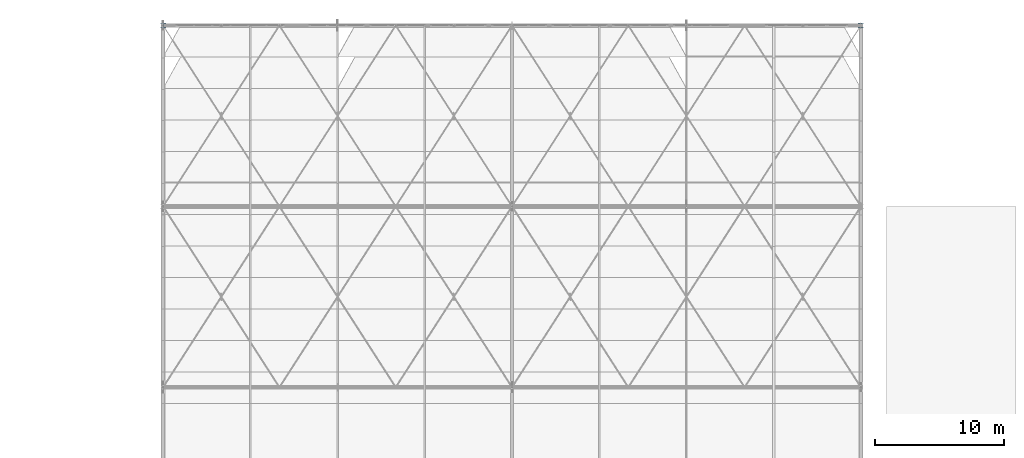
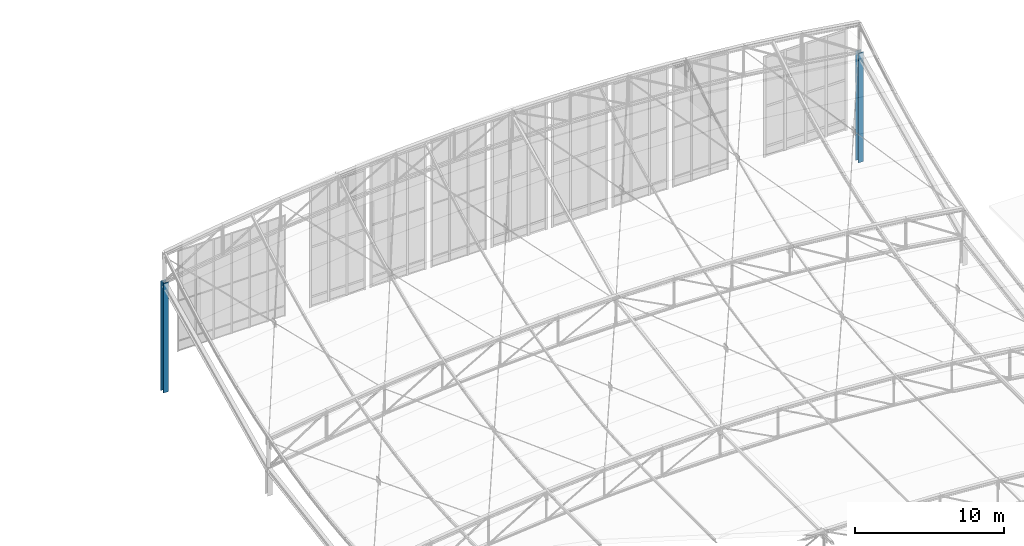
# One storey, part 12 of 262: 2 columns.
"""IFC4 building model written with IfcOpenShell, lengths in metres."""

import ifcopenshell
import ifcopenshell.guid

model = None  # the IFC model being written
_history = None  # IfcOwnerHistory: only IFC2X3 demands one
_inside = {}  # id of a spatial element -> (the spatial element, [elements in it])
_under = {}  # id of a project, library or spatial element -> (it, [spatial elements below it])
_declared = {}  # id of a project -> (the project, [libraries it declares])
_typed = {}  # id of a type object -> (the type object, [elements of that type])
_made_of = {}  # id of a material, layer set ... -> (it, [elements and type objects made of it])


def new_model(schema):
    """Start an empty IFC model of exactly this schema.

    Asked for "IFC4X3", IfcOpenShell would pick the latest addendum, in which some entities
    have other attributes; the version numbers below select the first issue.
    IFC2X3 requires an IfcOwnerHistory on every rooted entity: one is made here for all.
    """
    global model, _history
    if schema == "IFC4X3":
        model = ifcopenshell.file(schema_version=(4, 3, 0, 0))
    else:
        model = ifcopenshell.file(schema=schema)
    _inside.clear()
    _under.clear()
    _declared.clear()
    _typed.clear()
    _made_of.clear()
    _history = None
    if model.schema == "IFC2X3":
        org = make("IfcOrganization", Name="unknown")
        user = make(
            "IfcPersonAndOrganization",
            ThePerson=make("IfcPerson", FamilyName="unknown"),
            TheOrganization=org,
        )
        app = make(
            "IfcApplication",
            ApplicationDeveloper=org,
            Version="unknown",
            ApplicationFullName="unknown",
            ApplicationIdentifier="unknown",
        )
        _history = make(
            "IfcOwnerHistory",
            OwningUser=user,
            OwningApplication=app,
            ChangeAction="ADDED",
            CreationDate=0,
        )
    return model


def make(cls, **values):
    """One entity of the class cls with the attributes given. An attribute that is None is left unset."""
    return model.create_entity(
        cls, **{name: value for name, value in values.items() if value is not None}
    )


def rooted(cls, **values):
    """An entity with a GlobalId (a new one), such as an element, a storey or a relation."""
    return make(cls, GlobalId=ifcopenshell.guid.new(), OwnerHistory=_history, **values)


def si_unit(unit_type, name, prefix=None):
    """IfcSIUnit, for example si_unit("LENGTHUNIT", "METRE", prefix="MILLI")."""
    return make("IfcSIUnit", UnitType=unit_type, Prefix=prefix, Name=name)


def derived_unit(unit_type, elements):
    """IfcDerivedUnit: a product of units, each with its exponent."""
    return make(
        "IfcDerivedUnit",
        Elements=[
            make("IfcDerivedUnitElement", Unit=unit, Exponent=power)
            for unit, power in elements
        ],
        UnitType=unit_type,
    )


def assignment(units):
    """IfcUnitAssignment: the units of a project."""
    return None if units is None else make("IfcUnitAssignment", Units=units)


def point(xyz):
    """IfcCartesianPoint."""
    return None if xyz is None else make("IfcCartesianPoint", Coordinates=xyz)


def direction(xyz):
    """IfcDirection."""
    return None if xyz is None else make("IfcDirection", DirectionRatios=xyz)


def frame(location, z_axis=None, x_axis=None):
    """IfcAxis2Placement3D, a coordinate frame: its origin and axes. An axis left out is left unset."""
    return make(
        "IfcAxis2Placement3D",
        Location=point(location),
        Axis=direction(z_axis),
        RefDirection=direction(x_axis),
    )


def frame_2d(location, x_axis=None):
    """IfcAxis2Placement2D, a coordinate frame in the plane: its origin and x axis."""
    return make(
        "IfcAxis2Placement2D", Location=point(location), RefDirection=direction(x_axis)
    )


def origin():
    """The frame at (0, 0, 0) with its axes left unset."""
    return frame((0.0, 0.0, 0.0))


def origin_2d():
    """The frame at (0, 0) in the plane with its x axis left unset."""
    return frame_2d((0.0, 0.0))


def place(relative_to, where):
    """IfcLocalPlacement: puts the frame where relative to a parent placement (None: the world)."""
    return make(
        "IfcLocalPlacement", PlacementRelTo=relative_to, RelativePlacement=where
    )


def context(
    kind, dimensions, precision=None, world=None, true_north=None, identifier=None
):
    """IfcGeometricRepresentationContext, for example the 3D "Model" context."""
    return make(
        "IfcGeometricRepresentationContext",
        ContextIdentifier=identifier,
        ContextType=kind,
        CoordinateSpaceDimension=dimensions,
        Precision=precision,
        WorldCoordinateSystem=world,
        TrueNorth=true_north,
    )


def subcontext(parent, identifier, kind, view, scale=None):
    """IfcGeometricRepresentationSubContext, for example "Body" below "Model"."""
    return make(
        "IfcGeometricRepresentationSubContext",
        ContextIdentifier=identifier,
        ContextType=kind,
        ParentContext=parent,
        TargetScale=scale,
        TargetView=view,
    )


def project(units=None, contexts=None):
    """IfcProject with its units and contexts."""
    return rooted(
        "IfcProject",
        Name="project",
        RepresentationContexts=contexts,
        UnitsInContext=assignment(units),
    )


def spatial(cls, under=None, at=None, **own):
    """A site, building, storey or space (cls), placed at a placement, below another one or the project."""
    s = rooted(cls, ObjectPlacement=at, **own)
    if under is not None:
        _under.setdefault(under.id(), (under, []))[1].append(s)
    return s


def profile(cls, at=None, kind="AREA", **sizes):
    """A parametric profile (cls). Its sizes go by their IFC names, for example OverallWidth=200.0."""
    return make(cls, ProfileType=kind, Position=at, **sizes)


def i_section(**sizes):
    """IfcIShapeProfileDef."""
    return profile("IfcIShapeProfileDef", **sizes)


def extrude(swept, where, along, depth):
    """IfcExtrudedAreaSolid: the profile swept, set in the frame where, extruded along a direction by depth."""
    return make(
        "IfcExtrudedAreaSolid",
        SweptArea=swept,
        Position=where,
        ExtrudedDirection=direction(along),
        Depth=depth,
    )


def shape(context_of_items, identifier, shape_type, items):
    """IfcShapeRepresentation: the items that make up one representation, for example the "Body"."""
    return make(
        "IfcShapeRepresentation",
        ContextOfItems=context_of_items,
        RepresentationIdentifier=identifier,
        RepresentationType=shape_type,
        Items=items,
    )


def material(Name=None, Category=None):
    """IfcMaterial."""
    return make("IfcMaterial", Name=Name, Category=Category)


def material_profile(
    of_material, cross_section, Name=None, Category=None, Priority=None
):
    """IfcMaterialProfile: a cross section and its material."""
    return make(
        "IfcMaterialProfile",
        Name=Name,
        Material=of_material,
        Profile=cross_section,
        Priority=Priority,
        Category=Category,
    )


def profile_set(profiles, Name=None, composite=None):
    """IfcMaterialProfileSet."""
    return make(
        "IfcMaterialProfileSet",
        Name=Name,
        MaterialProfiles=profiles,
        CompositeProfile=composite,
    )


def made_of(thing, what):
    """Note that an element or type object is made of a material, layer set ...; save() writes the relation."""
    if what is not None:
        _made_of.setdefault(what.id(), (what, []))[1].append(thing)
    return thing


def type_object(cls, material=None, **own):
    """A type object (cls), such as IfcWallType, which elements share."""
    return made_of(rooted(cls, **own), material)


def element(
    cls,
    number,
    at=None,
    inside=None,
    cuts=None,
    type_object=None,
    material=None,
    context=None,
    identifier="Body",
    shape_type=None,
    held_by="IfcProductDefinitionShape",
    body=None,
    shapes=None,
    **own,
):
    """One element of the class cls, such as IfcWall. Its Tag is "e" and its number.

    at: its placement. inside: the storey or other place that contains it. cuts: it is an
    opening in that element (IfcRelVoidsElement). A single representation is given by context,
    identifier, shape_type and body (its items); several are given by shapes. held_by: the class
    of the entity that holds the representations. save() writes the other relations.
    """
    e = rooted(cls, Tag="e%d" % number, ObjectPlacement=at, **own)
    if body is not None:
        shapes = [shape(context, identifier, shape_type, body)]
    if shapes is not None:
        e.Representation = make(held_by, Representations=shapes)
    if inside is not None:
        _inside.setdefault(inside.id(), (inside, []))[1].append(e)
    if cuts is not None:
        rooted(
            "IfcRelVoidsElement", RelatingBuildingElement=cuts, RelatedOpeningElement=e
        )
    if type_object is not None:
        _typed.setdefault(type_object.id(), (type_object, []))[1].append(e)
    return made_of(e, material)


def aggregate(whole, parts):
    """IfcRelAggregates: a whole, such as a stair, and the parts it consists of."""
    return rooted("IfcRelAggregates", RelatingObject=whole, RelatedObjects=parts)


def save(model, path):
    """Write the relations noted so far, then the file.

    IfcRelAggregates (storeys below a building ...), IfcRelContainedInSpatialStructure (elements
    in a storey), IfcRelDefinesByType, IfcRelAssociatesMaterial and IfcRelDeclares: one each for
    every whole, place, type object, material and project.
    """
    for whole, parts in _under.values():
        aggregate(whole, parts)
    for where, things in _inside.values():
        rooted(
            "IfcRelContainedInSpatialStructure",
            RelatedElements=things,
            RelatingStructure=where,
        )
    for kind, things in _typed.values():
        rooted("IfcRelDefinesByType", RelatedObjects=things, RelatingType=kind)
    for what, things in _made_of.values():
        rooted("IfcRelAssociatesMaterial", RelatedObjects=things, RelatingMaterial=what)
    for by, libraries in _declared.values():
        rooted("IfcRelDeclares", RelatingContext=by, RelatedDefinitions=libraries)
    model.write(path)


model = new_model("IFC4")

# Units and contexts
model_context = context("Model", 3, precision=1e-05, world=origin(), true_north=direction((0.0, 1.0)))
body_context = subcontext(model_context, "Body", "Model", "MODEL_VIEW")
ifc_project = project(units=[si_unit("LENGTHUNIT", "METRE"), si_unit("AREAUNIT", "SQUARE_METRE"), si_unit("VOLUMEUNIT", "CUBIC_METRE"), si_unit("PLANEANGLEUNIT", "RADIAN"), si_unit("MASSUNIT", "GRAM", prefix="KILO"), derived_unit("THERMALTRANSMITTANCEUNIT", [(si_unit("POWERUNIT", "WATT"), 1), (si_unit("LENGTHUNIT", "METRE"), -2), (si_unit("THERMODYNAMICTEMPERATUREUNIT", "KELVIN"), -1)])], contexts=[model_context])

# Site, building, storey
site_placement = place(None, origin())
site = spatial("IfcSite", under=ifc_project, at=site_placement, CompositionType="ELEMENT")
building_placement = place(site_placement, origin())
building = spatial("IfcBuilding", under=site, at=building_placement, Name="Almenara Railside Exhibition Hall", CompositionType="ELEMENT")
storey_placement = place(building_placement, frame((0.0, 0.0, 21.699951171875)))
storey = spatial("IfcBuildingStorey", under=building, at=storey_placement, Name="RF", CompositionType="ELEMENT", Elevation=21.699951171875)

# Columns
ifc_material = material(Name="Structural steel S355JR", Category="steel")
ifc_material_profile = material_profile(ifc_material, i_section(OverallWidth=0.394775390625, OverallDepth=0.381103515625, WebThickness=0.018310546875, FlangeThickness=0.0302734375, FilletRadius=0.01513671875, at=origin_2d()), Name="UC 356x406x235")
ifc_profile_set = profile_set([ifc_material_profile], Name="Structural steel S355JR")
column_type = type_object("IfcColumnType", Name="Steel Column UC 356x406x235 S355JR", PredefinedType="COLUMN", material=ifc_profile_set)
for number, where, z_axis, x_axis, name in (
    (1, (138.0, 132.0, -9.599853515625), (0.0, 0.0, 1.0), (1.0, 0.0, 0.0), "V2 scroll portal column 8"),
    (2, (192.0, 132.0, -9.599853515625), (0.0, 0.0, 1.0), (1.0, 0.0, 0.0), "V2 scroll portal column 8"),
):
    element("IfcColumn", number, at=place(storey_placement, frame(where, z_axis=z_axis, x_axis=x_axis)), inside=storey, type_object=column_type, Name=name, PredefinedType="COLUMN", context=body_context, shape_type="SweptSolid", body=[
        extrude(i_section(OverallWidth=0.394775390625, OverallDepth=0.381103515625, WebThickness=0.018310546875, FlangeThickness=0.0302734375, FilletRadius=0.01513671875, at=origin_2d()), origin(), (0.0, 0.0, 1.0), 9.0),
    ])

save(model, "model.ifc")
